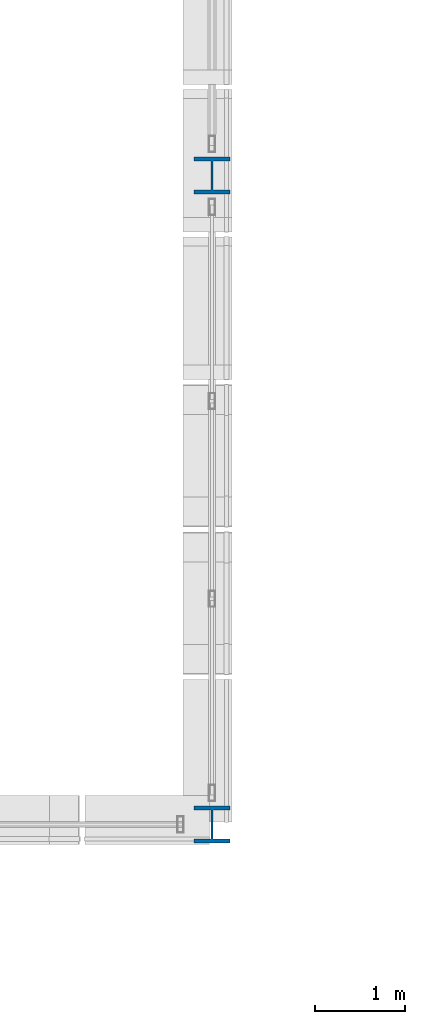
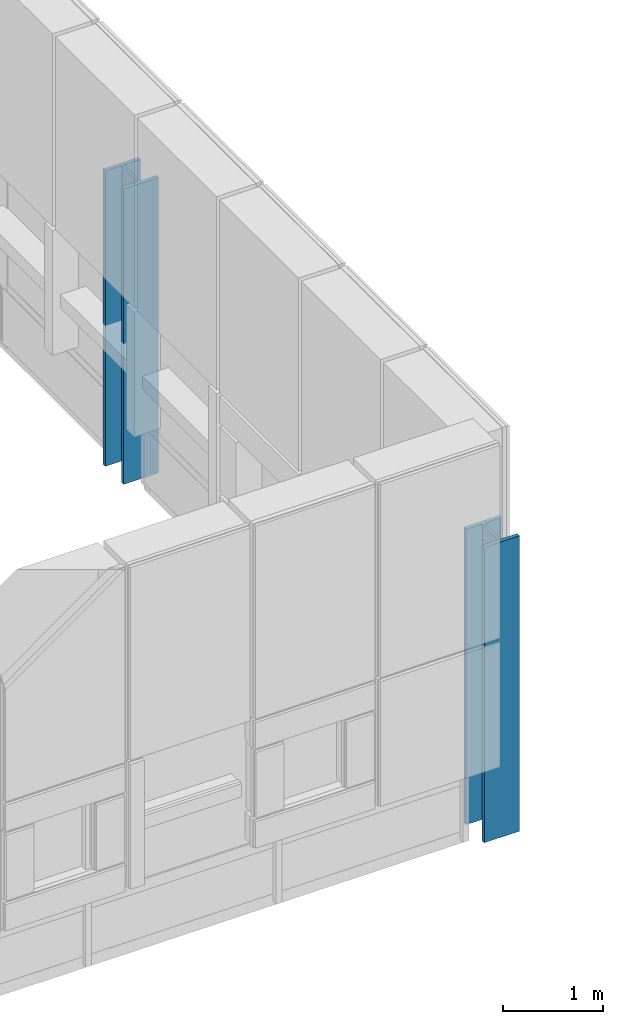
# One storey, part 2 of 96: 2 columns.
"""IFC4 building model written with IfcOpenShell, lengths in metres."""

from ifc_helpers import new_model, si_unit, direction, frame, origin, origin_2d, place, context, subcontext, project, spatial, i_section, extrude, material, material_profile, profile_set, type_object, element, save


model = new_model("IFC4")

# Units and contexts
model_context = context("Model", 3, precision=1e-05, world=origin(), true_north=direction((0.0, 1.0)))
body_context = subcontext(model_context, "Body", "Model", "MODEL_VIEW")
ifc_project = project(units=[si_unit("LENGTHUNIT", "METRE"), si_unit("AREAUNIT", "SQUARE_METRE"), si_unit("VOLUMEUNIT", "CUBIC_METRE"), si_unit("PLANEANGLEUNIT", "RADIAN"), si_unit("MASSUNIT", "GRAM", prefix="KILO")], contexts=[model_context])

# Site, building, storey
site_placement = place(None, origin())
site = spatial("IfcSite", under=ifc_project, at=site_placement, CompositionType="ELEMENT")
building_placement = place(site_placement, origin())
building = spatial("IfcBuilding", under=site, at=building_placement, Name="Yarey Park Central Fire Station", CompositionType="ELEMENT")
storey_placement = place(building_placement, frame((0.0, 0.0, 14.39990234375)))
storey = spatial("IfcBuildingStorey", under=building, at=storey_placement, Name="L04", CompositionType="ELEMENT", Elevation=14.39990234375)

# Columns
ifc_material = material(Name="Steel ASTM A992 Gr. 50", Category="steel")
ifc_material_profile = material_profile(ifc_material, i_section(OverallWidth=0.404052734375, OverallDepth=0.406982421875, WebThickness=0.027099609375, FlangeThickness=0.043701171875, at=origin_2d()), Name="W360x347")
ifc_profile_set = profile_set([ifc_material_profile], Name="Steel ASTM A992 Gr. 50")
column_type = type_object("IfcColumnType", Name="STR_COL_W360_EXT", PredefinedType="COLUMN", material=ifc_profile_set)
for number, where, z_axis, x_axis, name in (
    (1, (57.60009765625, 21.60009765625, 0.0), (0.0, 0.0, 1.0), (1.0, 0.0, 0.0), "COL_L04_X576_Y216"),
    (2, (57.60009765625, 28.800048828125, 0.0), (0.0, 0.0, 1.0), (1.0, 0.0, 0.0), "COL_L04_X576_Y288"),
):
    element("IfcColumn", number, at=place(storey_placement, frame(where, z_axis=z_axis, x_axis=x_axis)), inside=storey, type_object=column_type, Name=name, PredefinedType="COLUMN", context=body_context, shape_type="SweptSolid", body=[
        extrude(i_section(OverallWidth=0.404052734375, OverallDepth=0.406982421875, WebThickness=0.027099609375, FlangeThickness=0.043701171875, at=origin_2d()), origin(), (0.0, 0.0, 1.0), 3.60009765625),
    ])

save(model, "model.ifc")
